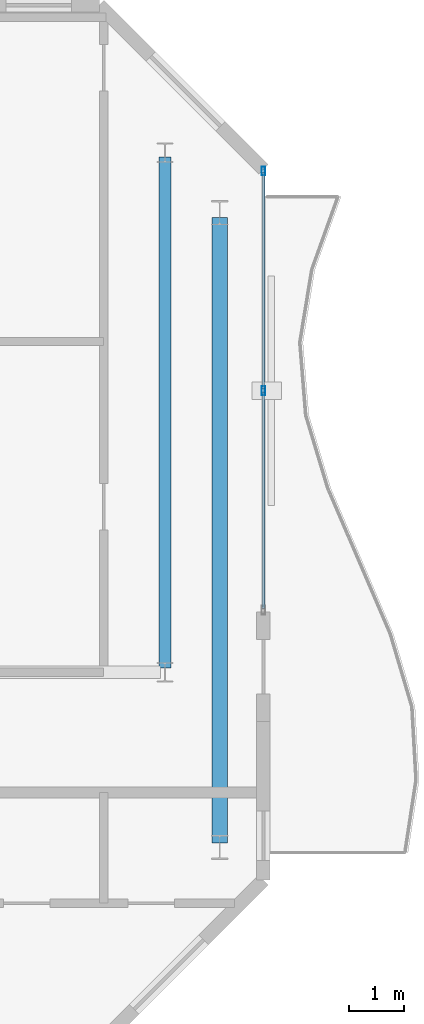
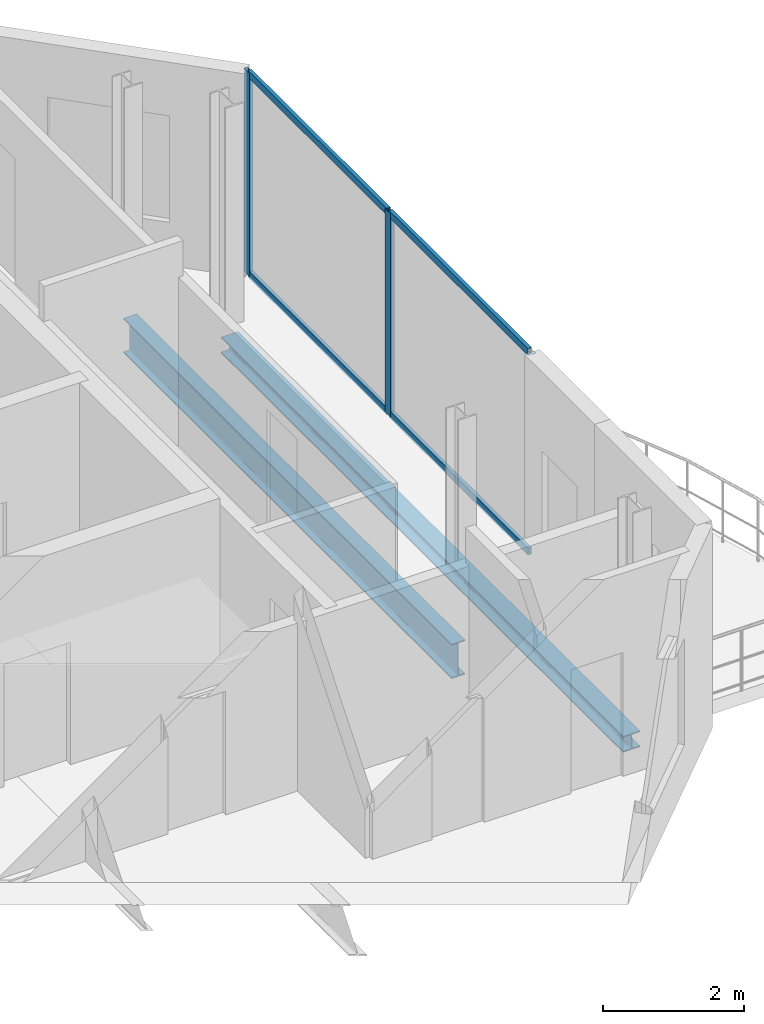
# One storey, part 15 of 24: 6 members, 2 beams, 1 element without a shape of its own.
"""IFC4 building model written with IfcOpenShell, lengths in metres."""

from ifc_helpers import new_model, si_unit, direction, frame, origin, origin_2d, place, context, subcontext, project, spatial, hollow_rectangle, i_section, extrude, material, layer, layer_set, material_profile, profile_set, type_object, element, aggregate, save


model = new_model("IFC4")

# Units and contexts
model_context = context("Model", 3, precision=1e-05, world=origin(), true_north=direction((0.0, 1.0)))
body_context = subcontext(model_context, "Body", "Model", "MODEL_VIEW")
ifc_project = project(units=[si_unit("LENGTHUNIT", "METRE"), si_unit("AREAUNIT", "SQUARE_METRE"), si_unit("VOLUMEUNIT", "CUBIC_METRE"), si_unit("PLANEANGLEUNIT", "RADIAN"), si_unit("MASSUNIT", "GRAM", prefix="KILO")], contexts=[model_context])

# Site, building, storey
site_placement = place(None, origin())
site = spatial("IfcSite", under=ifc_project, at=site_placement, CompositionType="ELEMENT")
building_placement = place(site_placement, origin())
building = spatial("IfcBuilding", under=site, at=building_placement, Name="Catumbela Crestline Tower", CompositionType="ELEMENT")
storey_placement = place(building_placement, frame((0.0, 0.0, 237.4)))
storey = spatial("IfcBuildingStorey", under=building, at=storey_placement, Name="L61", CompositionType="ELEMENT", Elevation=237.4)

# Beam
ifc_material_1 = material(Name="Structural steel S355J2", Category="steel")
ifc_material_profile_1 = material_profile(ifc_material_1, i_section(OverallWidth=0.22, OverallDepth=0.6, WebThickness=0.012, FlangeThickness=0.019, FilletRadius=0.024, at=origin_2d()), Name="IPE 600")
ifc_profile_set_1 = profile_set([ifc_material_profile_1], Name="Structural steel S355J2")
beam_type_1 = type_object("IfcBeamType", Name="BG-IPE600", PredefinedType="BEAM", material=ifc_profile_set_1)
beam_1_placement = place(storey_placement, frame((44.2, 30.88, -0.56), z_axis=(0.0, 1.0, 0.0), x_axis=(-1.0, 0.0, 0.0)))
element("IfcBeam", 1, at=beam_1_placement, inside=storey, type_object=beam_type_1, Name="L61 Beam BM-L61-SN19", PredefinedType="BEAM", context=body_context, shape_type="SweptSolid", body=[
    extrude(i_section(OverallWidth=0.22, OverallDepth=0.6, WebThickness=0.012, FlangeThickness=0.019, FilletRadius=0.024, at=origin_2d()), origin(), (0.0, 0.0, 1.0), 9.34),
])

# Curtain wall, members
ifc_material_2 = material(Name="Aluminium alloy AW-6060-T66", Category="aluminium")
ifc_layer = layer(ifc_material_2, 0.18, Name="Aluminium alloy AW-6060-T66")
ifc_layer_set = layer_set([ifc_layer], Name="Aluminium alloy AW-6060-T66")
curtain_wall_type = type_object("IfcCurtainWallType", Name="CWU-Z4", PredefinedType="USERDEFINED", material=ifc_layer_set)
curtain_wall_placement = place(storey_placement, origin())
curtain_wall = element("IfcCurtainWall", 2, at=curtain_wall_placement, inside=storey, type_object=curtain_wall_type, Name="L61 Unitised Curtain Wall CW-L61-E5S2", ObjectType="UNITISED", PredefinedType="USERDEFINED")
ifc_material_profile_2 = material_profile(ifc_material_2, hollow_rectangle(XDim=0.06, YDim=0.16, WallThickness=0.004, at=origin_2d()), Name="ALU 160x60x4")
ifc_profile_set_2 = profile_set([ifc_material_profile_2], Name="Aluminium alloy AW-6060-T66")
member_type_1 = type_object("IfcMemberType", Name="MUL-160X60", PredefinedType="MULLION", material=ifc_profile_set_2)
member_1_placement = place(storey_placement, frame((46.0, 35.95, 0.0), z_axis=(0.0, 0.0, 1.0), x_axis=(-1.0, 0.0, 0.0)))
member_1 = element("IfcMember", 3, at=member_1_placement, type_object=member_type_1, Name="CWU-Z4 mullion 2", PredefinedType="MULLION", context=body_context, shape_type="SweptSolid", body=[
    extrude(hollow_rectangle(XDim=0.06, YDim=0.16, WallThickness=0.004, at=origin_2d()), origin(), (0.0, 0.0, 1.0), 3.53),
])
member_2_placement = place(storey_placement, frame((46.0, 39.9675, 0.0), z_axis=(0.0, 0.0, 1.0), x_axis=(-1.0, 0.0, 0.0)))
member_2 = element("IfcMember", 4, at=member_2_placement, type_object=member_type_1, Name="CWU-Z4 mullion 3", PredefinedType="MULLION", context=body_context, shape_type="SweptSolid", body=[
    extrude(hollow_rectangle(XDim=0.06, YDim=0.16, WallThickness=0.004, at=origin_2d()), origin(), (0.0, 0.0, 1.0), 3.53),
])

# Beam
ifc_material_profile_3 = material_profile(ifc_material_1, i_section(OverallWidth=0.28, OverallDepth=0.28, WebThickness=0.0105, FlangeThickness=0.018, FilletRadius=0.024, at=origin_2d()), Name="HEB 280")
ifc_profile_set_3 = profile_set([ifc_material_profile_3], Name="Structural steel S355J2")
beam_type_2 = type_object("IfcBeamType", Name="BS-HEB280", PredefinedType="SPANDREL", material=ifc_profile_set_3)
beam_2_placement = place(storey_placement, frame((45.2, 27.68, -0.4), z_axis=(0.0, 1.0, 0.0), x_axis=(-1.0, 0.0, 0.0)))
element("IfcBeam", 5, at=beam_2_placement, inside=storey, type_object=beam_type_2, Name="L61 Spandrel SP-L61-SN20", PredefinedType="SPANDREL", context=body_context, shape_type="SweptSolid", body=[
    extrude(i_section(OverallWidth=0.28, OverallDepth=0.28, WebThickness=0.0105, FlangeThickness=0.018, FilletRadius=0.024, at=origin_2d()), origin(), (0.0, 0.0, 1.0), 11.44),
])

# Member
ifc_material_profile_4 = material_profile(ifc_material_2, hollow_rectangle(XDim=0.06, YDim=0.12, WallThickness=0.0035, at=origin_2d()), Name="ALU 120x60x3.5")
ifc_profile_set_4 = profile_set([ifc_material_profile_4], Name="Aluminium alloy AW-6060-T66")
member_type_2 = type_object("IfcMemberType", Name="TRN-120X60", PredefinedType="USERDEFINED", material=ifc_profile_set_4)
member_3_placement = place(storey_placement, frame((46.0, 31.965, 0.03), z_axis=(0.0, 1.0, 0.0), x_axis=(-1.0, 0.0, 0.0)))
member_3 = element("IfcMember", 6, at=member_3_placement, type_object=member_type_2, Name="CWU-Z4 transom 1.1", ObjectType="TRANSOM", PredefinedType="USERDEFINED", context=body_context, shape_type="SweptSolid", body=[
    extrude(hollow_rectangle(XDim=0.06, YDim=0.12, WallThickness=0.0035, at=origin_2d()), origin(), (0.0, 0.0, 1.0), 3.9525),
])

member_4_placement = place(storey_placement, frame((46.0, 31.965, 3.5), z_axis=(0.0, 1.0, 0.0), x_axis=(-1.0, 0.0, 0.0)))
member_4 = element("IfcMember", 7, at=member_4_placement, type_object=member_type_2, Name="CWU-Z4 transom 1.2", ObjectType="TRANSOM", PredefinedType="USERDEFINED", context=body_context, shape_type="SweptSolid", body=[
    extrude(hollow_rectangle(XDim=0.06, YDim=0.12, WallThickness=0.0035, at=origin_2d()), origin(), (0.0, 0.0, 1.0), 3.9525),
])

member_5_placement = place(storey_placement, frame((46.0, 35.9825, 0.03), z_axis=(0.0, 1.0, 0.0), x_axis=(-1.0, 0.0, 0.0)))
member_5 = element("IfcMember", 8, at=member_5_placement, type_object=member_type_2, Name="CWU-Z4 transom 2.1", ObjectType="TRANSOM", PredefinedType="USERDEFINED", context=body_context, shape_type="SweptSolid", body=[
    extrude(hollow_rectangle(XDim=0.06, YDim=0.12, WallThickness=0.0035, at=origin_2d()), origin(), (0.0, 0.0, 1.0), 3.9525),
])

member_6_placement = place(storey_placement, frame((46.0, 35.9825, 3.5), z_axis=(0.0, 1.0, 0.0), x_axis=(-1.0, 0.0, 0.0)))
member_6 = element("IfcMember", 9, at=member_6_placement, type_object=member_type_2, Name="CWU-Z4 transom 2.2", ObjectType="TRANSOM", PredefinedType="USERDEFINED", context=body_context, shape_type="SweptSolid", body=[
    extrude(hollow_rectangle(XDim=0.06, YDim=0.12, WallThickness=0.0035, at=origin_2d()), origin(), (0.0, 0.0, 1.0), 3.9525),
])

aggregate(curtain_wall, [member_1, member_2, member_3, member_4, member_5, member_6])

save(model, "model.ifc")
